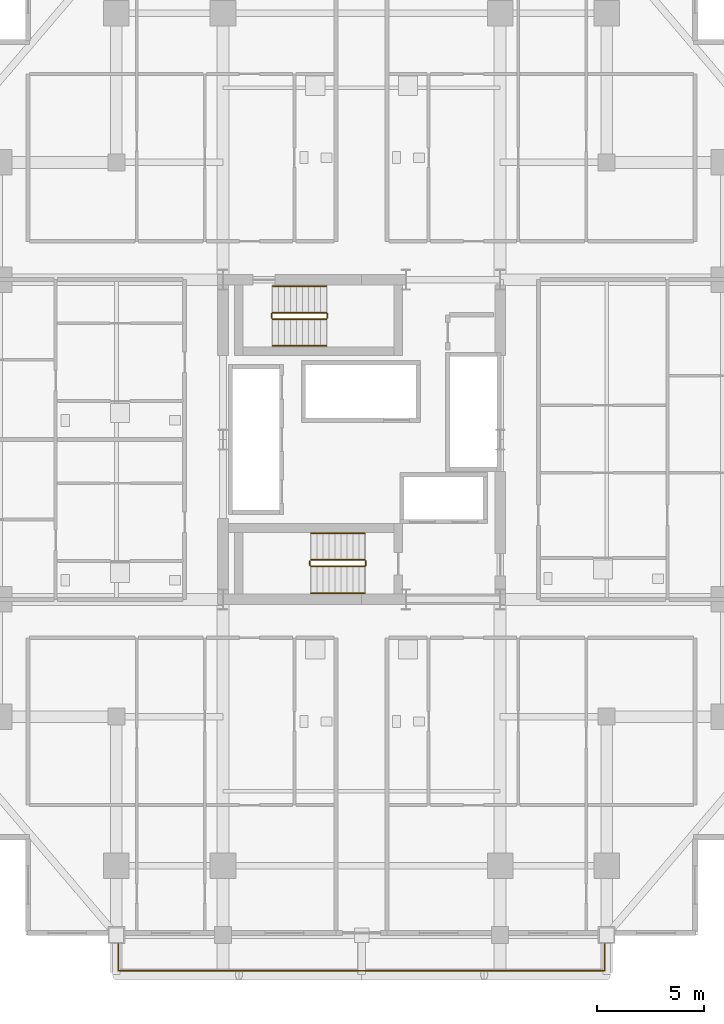
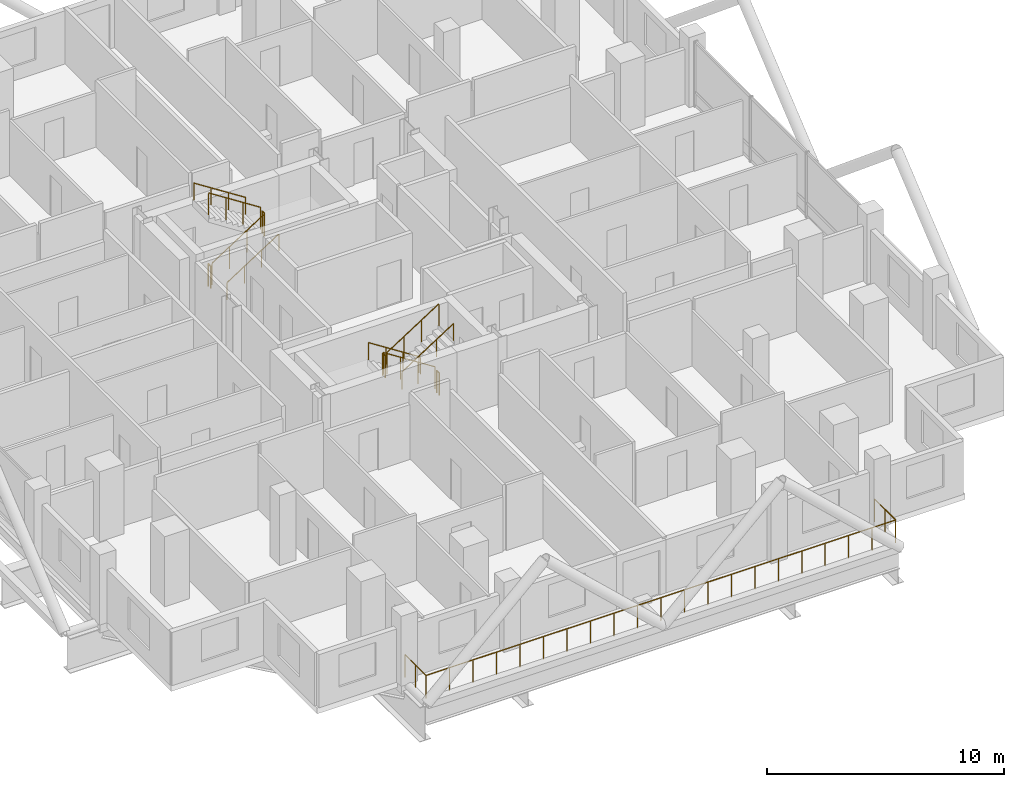
# One storey, part 19 of 21: 13 railings.
"""IFC4 building model written with IfcOpenShell, lengths in metres."""

from ifc_helpers import new_model, si_unit, direction, frame, origin, origin_2d, place, context, subcontext, project, spatial, circle, extrude, material, type_object, element, save


model = new_model("IFC4")

# Units and contexts
model_context = context("Model", 3, precision=1e-05, world=origin(), true_north=direction((0.0, 1.0)))
body_context = subcontext(model_context, "Body", "Model", "MODEL_VIEW")
ifc_project = project(units=[si_unit("LENGTHUNIT", "METRE"), si_unit("AREAUNIT", "SQUARE_METRE"), si_unit("VOLUMEUNIT", "CUBIC_METRE"), si_unit("PLANEANGLEUNIT", "RADIAN"), si_unit("MASSUNIT", "GRAM", prefix="KILO")], contexts=[model_context])

# Site, building, storey
site_placement = place(None, origin())
site = spatial("IfcSite", under=ifc_project, at=site_placement, CompositionType="ELEMENT")
building_placement = place(site_placement, origin())
building = spatial("IfcBuilding", under=site, at=building_placement, Name="Barlavira Tower and Art Museum", CompositionType="ELEMENT")
storey_placement = place(building_placement, frame((0.0, 0.0, 99.0)))
storey = spatial("IfcBuildingStorey", under=building, at=storey_placement, Name="L24", CompositionType="ELEMENT", Elevation=99.0)

# Railings
ifc_material_1 = material(Name="Brushed stainless steel", Category="steel")
railing_type_1 = type_object("IfcRailingType", Name="Interior Void and Landing Guard Railing 1150", PredefinedType="GUARDRAIL", material=ifc_material_1)
railing_1_placement = place(storey_placement, frame((0.14990234375, -5.64990234375, 0.179931640625)))
element("IfcRailing", 1, at=railing_1_placement, inside=storey, type_object=railing_type_1, Name="L24 ST-T1 stair guard 1", PredefinedType="GUARDRAIL", context=body_context, shape_type="SweptSolid", body=[
    extrude(circle(Radius=0.02392578125, at=origin_2d()), frame((0.0, 0.0, 1.1259765625), z_axis=(-0.841162588446, 0.0, 0.540782303519), x_axis=(0.0, -1.0, 0.0)), (0.0, 0.0, 1.0), 2.995849609375),
    extrude(circle(Radius=0.02099609375, at=origin_2d()), origin(), (0.0, 0.0, 1.0), 1.101806640625),
    extrude(circle(Radius=0.02099609375, at=origin_2d()), frame((-0.840087890625, 0.0, 0.5400390625)), (0.0, 0.0, 1.0), 1.101806640625),
    extrude(circle(Radius=0.02099609375, at=origin_2d()), frame((-1.679931640625, 0.0, 1.080078125)), (0.0, 0.0, 1.0), 1.101806640625),
    extrude(circle(Radius=0.02099609375, at=origin_2d()), frame((-2.52001953125, 0.0, 1.6201171875)), (0.0, 0.0, 1.0), 1.101806640625),
])
railing_2_placement = place(storey_placement, frame((-2.419921875, -5.699951171875, 1.800048828125)))
element("IfcRailing", 2, at=railing_2_placement, inside=storey, type_object=railing_type_1, Name="L24 ST-T1 stair guard 2", PredefinedType="GUARDRAIL", context=body_context, shape_type="SweptSolid", body=[
    extrude(circle(Radius=0.02392578125, at=origin_2d()), frame((0.0, 0.0, 1.1259765625), z_axis=(0.0, -1.0, 0.0), x_axis=(1.0, 0.0, 0.0)), (0.0, 0.0, 1.0), 0.199951171875),
    extrude(circle(Radius=0.02099609375, at=origin_2d()), origin(), (0.0, 0.0, 1.0), 1.101806640625),
    extrude(circle(Radius=0.02099609375, at=origin_2d()), frame((0.0, -0.199951171875, 0.0)), (0.0, 0.0, 1.0), 1.101806640625),
])
railing_3_placement = place(storey_placement, frame((-2.3701171875, -5.949951171875, 1.97998046875)))
element("IfcRailing", 3, at=railing_3_placement, inside=storey, type_object=railing_type_1, Name="L24 ST-T1 stair guard 3", PredefinedType="GUARDRAIL", context=body_context, shape_type="SweptSolid", body=[
    extrude(circle(Radius=0.02392578125, at=origin_2d()), frame((0.0, 0.0, 1.1259765625), z_axis=(0.841162588446, 0.0, 0.540782303519), x_axis=(0.0, 1.0, 0.0)), (0.0, 0.0, 1.0), 2.995849609375),
    extrude(circle(Radius=0.02099609375, at=origin_2d()), origin(), (0.0, 0.0, 1.0), 1.101806640625),
    extrude(circle(Radius=0.02099609375, at=origin_2d()), frame((0.840087890625, 0.0, 0.5400390625)), (0.0, 0.0, 1.0), 1.101806640625),
    extrude(circle(Radius=0.02099609375, at=origin_2d()), frame((1.679931640625, 0.0, 1.080078125)), (0.0, 0.0, 1.0), 1.101806640625),
    extrude(circle(Radius=0.02099609375, at=origin_2d()), frame((2.52001953125, 0.0, 1.6201171875)), (0.0, 0.0, 1.0), 1.101806640625),
])
railing_4_placement = place(storey_placement, frame((0.199951171875, -5.699951171875, 0.0)))
element("IfcRailing", 4, at=railing_4_placement, inside=storey, type_object=railing_type_1, Name="L24 ST-T1 stair guard 4", PredefinedType="GUARDRAIL", context=body_context, shape_type="SweptSolid", body=[
    extrude(circle(Radius=0.02392578125, at=origin_2d()), frame((0.0, 0.0, 1.1259765625), z_axis=(0.0, -1.0, 0.0), x_axis=(1.0, 0.0, 0.0)), (0.0, 0.0, 1.0), 0.199951171875),
    extrude(circle(Radius=0.02099609375, at=origin_2d()), origin(), (0.0, 0.0, 1.0), 1.101806640625),
    extrude(circle(Radius=0.02099609375, at=origin_2d()), frame((0.0, -0.199951171875, 0.0)), (0.0, 0.0, 1.0), 1.101806640625),
])
railing_5_placement = place(storey_placement, frame((-4.169921875, 5.64990234375, 0.179931640625)))
element("IfcRailing", 5, at=railing_5_placement, inside=storey, type_object=railing_type_1, Name="L24 ST-T2 stair guard 1", PredefinedType="GUARDRAIL", context=body_context, shape_type="SweptSolid", body=[
    extrude(circle(Radius=0.02392578125, at=origin_2d()), frame((0.0, 0.0, 1.1259765625), z_axis=(0.841162588446, 0.0, 0.540782303519), x_axis=(0.0, 1.0, 0.0)), (0.0, 0.0, 1.0), 2.995849609375),
    extrude(circle(Radius=0.02099609375, at=origin_2d()), origin(), (0.0, 0.0, 1.0), 1.101806640625),
    extrude(circle(Radius=0.02099609375, at=origin_2d()), frame((0.840087890625, 0.0, 0.5400390625)), (0.0, 0.0, 1.0), 1.101806640625),
    extrude(circle(Radius=0.02099609375, at=origin_2d()), frame((1.679931640625, 0.0, 1.080078125)), (0.0, 0.0, 1.0), 1.101806640625),
    extrude(circle(Radius=0.02099609375, at=origin_2d()), frame((2.52001953125, 0.0, 1.6201171875)), (0.0, 0.0, 1.0), 1.101806640625),
])
railing_6_placement = place(storey_placement, frame((-1.60009765625, 5.699951171875, 1.800048828125)))
element("IfcRailing", 6, at=railing_6_placement, inside=storey, type_object=railing_type_1, Name="L24 ST-T2 stair guard 2", PredefinedType="GUARDRAIL", context=body_context, shape_type="SweptSolid", body=[
    extrude(circle(Radius=0.02392578125, at=origin_2d()), frame((0.0, 0.0, 1.1259765625), z_axis=(0.0, 1.0, 0.0), x_axis=(-1.0, 0.0, 0.0)), (0.0, 0.0, 1.0), 0.199951171875),
    extrude(circle(Radius=0.02099609375, at=origin_2d()), origin(), (0.0, 0.0, 1.0), 1.101806640625),
    extrude(circle(Radius=0.02099609375, at=origin_2d()), frame((0.0, 0.199951171875, 0.0)), (0.0, 0.0, 1.0), 1.101806640625),
])
railing_7_placement = place(storey_placement, frame((-1.64990234375, 5.949951171875, 1.97998046875)))
element("IfcRailing", 7, at=railing_7_placement, inside=storey, type_object=railing_type_1, Name="L24 ST-T2 stair guard 3", PredefinedType="GUARDRAIL", context=body_context, shape_type="SweptSolid", body=[
    extrude(circle(Radius=0.02392578125, at=origin_2d()), frame((0.0, 0.0, 1.1259765625), z_axis=(-0.841162588446, 0.0, 0.540782303519), x_axis=(0.0, -1.0, 0.0)), (0.0, 0.0, 1.0), 2.995849609375),
    extrude(circle(Radius=0.02099609375, at=origin_2d()), origin(), (0.0, 0.0, 1.0), 1.101806640625),
    extrude(circle(Radius=0.02099609375, at=origin_2d()), frame((-0.840087890625, 0.0, 0.5400390625)), (0.0, 0.0, 1.0), 1.101806640625),
    extrude(circle(Radius=0.02099609375, at=origin_2d()), frame((-1.679931640625, 0.0, 1.080078125)), (0.0, 0.0, 1.0), 1.101806640625),
    extrude(circle(Radius=0.02099609375, at=origin_2d()), frame((-2.52001953125, 0.0, 1.6201171875)), (0.0, 0.0, 1.0), 1.101806640625),
])
railing_8_placement = place(storey_placement, frame((-4.219970703125, 5.699951171875, 0.0)))
element("IfcRailing", 8, at=railing_8_placement, inside=storey, type_object=railing_type_1, Name="L24 ST-T2 stair guard 4", PredefinedType="GUARDRAIL", context=body_context, shape_type="SweptSolid", body=[
    extrude(circle(Radius=0.02392578125, at=origin_2d()), frame((0.0, 0.0, 1.1259765625), z_axis=(0.0, 1.0, 0.0), x_axis=(-1.0, 0.0, 0.0)), (0.0, 0.0, 1.0), 0.199951171875),
    extrude(circle(Radius=0.02099609375, at=origin_2d()), origin(), (0.0, 0.0, 1.0), 1.101806640625),
    extrude(circle(Radius=0.02099609375, at=origin_2d()), frame((0.0, 0.199951171875, 0.0)), (0.0, 0.0, 1.0), 1.101806640625),
])
railing_type_2 = type_object("IfcRailingType", Name="Stair Pitch Tubular Steel Handrail 920", PredefinedType="HANDRAIL", material=ifc_material_1)
railing_9_placement = place(storey_placement, frame((0.14990234375, -4.39990234375, 0.179931640625)))
element("IfcRailing", 9, at=railing_9_placement, inside=storey, type_object=railing_type_2, Name="L24 ST-T1 stair handrail 1", PredefinedType="HANDRAIL", context=body_context, shape_type="SweptSolid", body=[
    extrude(circle(Radius=0.02392578125, at=origin_2d()), frame((0.0, 0.0, 0.8759765625), z_axis=(-0.841162588446, 0.0, 0.540782303519), x_axis=(0.0, -1.0, 0.0)), (0.0, 0.0, 1.0), 2.995849609375),
    extrude(circle(Radius=0.02099609375, at=origin_2d()), origin(), (0.0, 0.0, 1.0), 0.851806640625),
    extrude(circle(Radius=0.02099609375, at=origin_2d()), frame((-0.840087890625, 0.0, 0.5400390625)), (0.0, 0.0, 1.0), 0.851806640625),
    extrude(circle(Radius=0.02099609375, at=origin_2d()), frame((-1.679931640625, 0.0, 1.080078125)), (0.0, 0.0, 1.0), 0.851806640625),
    extrude(circle(Radius=0.02099609375, at=origin_2d()), frame((-2.52001953125, 0.0, 1.6201171875)), (0.0, 0.0, 1.0), 0.851806640625),
])
for number, where, name in (
    (10, (-2.3701171875, -7.199951171875, 1.97998046875), "L24 ST-T1 stair handrail 2"),
    (11, (-4.169921875, 4.39990234375, 0.179931640625), "L24 ST-T2 stair handrail 1"),
):
    element("IfcRailing", number, at=place(storey_placement, frame(where)), inside=storey, type_object=railing_type_2, Name=name, PredefinedType="HANDRAIL", context=body_context, shape_type="SweptSolid", body=[
        extrude(circle(Radius=0.02392578125, at=origin_2d()), frame((0.0, 0.0, 0.8759765625), z_axis=(0.841162588446, 0.0, 0.540782303519), x_axis=(0.0, 1.0, 0.0)), (0.0, 0.0, 1.0), 2.995849609375),
        extrude(circle(Radius=0.02099609375, at=origin_2d()), origin(), (0.0, 0.0, 1.0), 0.851806640625),
        extrude(circle(Radius=0.02099609375, at=origin_2d()), frame((0.840087890625, 0.0, 0.5400390625)), (0.0, 0.0, 1.0), 0.851806640625),
        extrude(circle(Radius=0.02099609375, at=origin_2d()), frame((1.679931640625, 0.0, 1.080078125)), (0.0, 0.0, 1.0), 0.851806640625),
        extrude(circle(Radius=0.02099609375, at=origin_2d()), frame((2.52001953125, 0.0, 1.6201171875)), (0.0, 0.0, 1.0), 0.851806640625),
    ])
railing_10_placement = place(storey_placement, frame((-1.64990234375, 7.199951171875, 1.97998046875)))
element("IfcRailing", 12, at=railing_10_placement, inside=storey, type_object=railing_type_2, Name="L24 ST-T2 stair handrail 2", PredefinedType="HANDRAIL", context=body_context, shape_type="SweptSolid", body=[
    extrude(circle(Radius=0.02392578125, at=origin_2d()), frame((0.0, 0.0, 0.8759765625), z_axis=(-0.841162588446, 0.0, 0.540782303519), x_axis=(0.0, -1.0, 0.0)), (0.0, 0.0, 1.0), 2.995849609375),
    extrude(circle(Radius=0.02099609375, at=origin_2d()), origin(), (0.0, 0.0, 1.0), 0.851806640625),
    extrude(circle(Radius=0.02099609375, at=origin_2d()), frame((-0.840087890625, 0.0, 0.5400390625)), (0.0, 0.0, 1.0), 0.851806640625),
    extrude(circle(Radius=0.02099609375, at=origin_2d()), frame((-1.679931640625, 0.0, 1.080078125)), (0.0, 0.0, 1.0), 0.851806640625),
    extrude(circle(Radius=0.02099609375, at=origin_2d()), frame((-2.52001953125, 0.0, 1.6201171875)), (0.0, 0.0, 1.0), 0.851806640625),
])
ifc_material_2 = material(Name="Laminated safety glass and stainless steel", Category="steel")
railing_type_3 = type_object("IfcRailingType", Name="Terrace and Wind-Floor Laminated Glass Balustrade 1200", PredefinedType="BALUSTRADE", material=ifc_material_2)
railing_11_placement = place(storey_placement, frame((-11.419921875, -23.14990234375, 0.0)))
element("IfcRailing", 13, at=railing_11_placement, inside=storey, type_object=railing_type_3, Name="L24 S Setback Terrace Balustrade", PredefinedType="BALUSTRADE", context=body_context, shape_type="SweptSolid", body=[
    extrude(circle(Radius=0.02392578125, at=origin_2d()), frame((0.0, 0.0, 1.17578125), z_axis=(0.0, -1.0, 0.0), x_axis=(1.0, 0.0, 0.0)), (0.0, 0.0, 1.0), 1.77001953125),
    extrude(circle(Radius=0.02392578125, at=origin_2d()), frame((0.0, -1.77001953125, 1.17578125), z_axis=(1.0, 0.0, 0.0), x_axis=(0.0, 1.0, 0.0)), (0.0, 0.0, 1.0), 22.83984375),
    extrude(circle(Radius=0.02392578125, at=origin_2d()), frame((22.83984375, -1.77001953125, 1.17578125), z_axis=(0.0, 1.0, 0.0), x_axis=(-1.0, 0.0, 0.0)), (0.0, 0.0, 1.0), 1.77001953125),
    extrude(circle(Radius=0.02099609375, at=origin_2d()), origin(), (0.0, 0.0, 1.0), 1.15185546875),
    extrude(circle(Radius=0.02099609375, at=origin_2d()), frame((0.0, -0.885009765625, 0.0)), (0.0, 0.0, 1.0), 1.15185546875),
    extrude(circle(Radius=0.02099609375, at=origin_2d()), frame((0.0, -1.77001953125, 0.0)), (0.0, 0.0, 1.0), 1.15185546875),
    extrude(circle(Radius=0.02099609375, at=origin_2d()), frame((1.14208984375, -1.77001953125, 0.0)), (0.0, 0.0, 1.0), 1.15185546875),
    extrude(circle(Radius=0.02099609375, at=origin_2d()), frame((2.283935546875, -1.77001953125, 0.0)), (0.0, 0.0, 1.0), 1.15185546875),
    extrude(circle(Radius=0.02099609375, at=origin_2d()), frame((3.426025390625, -1.77001953125, 0.0)), (0.0, 0.0, 1.0), 1.15185546875),
    extrude(circle(Radius=0.02099609375, at=origin_2d()), frame((4.56787109375, -1.77001953125, 0.0)), (0.0, 0.0, 1.0), 1.15185546875),
    extrude(circle(Radius=0.02099609375, at=origin_2d()), frame((5.7099609375, -1.77001953125, 0.0)), (0.0, 0.0, 1.0), 1.15185546875),
    extrude(circle(Radius=0.02099609375, at=origin_2d()), frame((6.85205078125, -1.77001953125, 0.0)), (0.0, 0.0, 1.0), 1.15185546875),
    extrude(circle(Radius=0.02099609375, at=origin_2d()), frame((7.993896484375, -1.77001953125, 0.0)), (0.0, 0.0, 1.0), 1.15185546875),
    extrude(circle(Radius=0.02099609375, at=origin_2d()), frame((9.135986328125, -1.77001953125, 0.0)), (0.0, 0.0, 1.0), 1.15185546875),
    extrude(circle(Radius=0.02099609375, at=origin_2d()), frame((10.27783203125, -1.77001953125, 0.0)), (0.0, 0.0, 1.0), 1.15185546875),
    extrude(circle(Radius=0.02099609375, at=origin_2d()), frame((11.419921875, -1.77001953125, 0.0)), (0.0, 0.0, 1.0), 1.15185546875),
    extrude(circle(Radius=0.02099609375, at=origin_2d()), frame((12.56201171875, -1.77001953125, 0.0)), (0.0, 0.0, 1.0), 1.15185546875),
    extrude(circle(Radius=0.02099609375, at=origin_2d()), frame((13.703857421875, -1.77001953125, 0.0)), (0.0, 0.0, 1.0), 1.15185546875),
    extrude(circle(Radius=0.02099609375, at=origin_2d()), frame((14.845947265625, -1.77001953125, 0.0)), (0.0, 0.0, 1.0), 1.15185546875),
    extrude(circle(Radius=0.02099609375, at=origin_2d()), frame((15.98779296875, -1.77001953125, 0.0)), (0.0, 0.0, 1.0), 1.15185546875),
    extrude(circle(Radius=0.02099609375, at=origin_2d()), frame((17.1298828125, -1.77001953125, 0.0)), (0.0, 0.0, 1.0), 1.15185546875),
    extrude(circle(Radius=0.02099609375, at=origin_2d()), frame((18.27197265625, -1.77001953125, 0.0)), (0.0, 0.0, 1.0), 1.15185546875),
    extrude(circle(Radius=0.02099609375, at=origin_2d()), frame((19.413818359375, -1.77001953125, 0.0)), (0.0, 0.0, 1.0), 1.15185546875),
    extrude(circle(Radius=0.02099609375, at=origin_2d()), frame((20.555908203125, -1.77001953125, 0.0)), (0.0, 0.0, 1.0), 1.15185546875),
    extrude(circle(Radius=0.02099609375, at=origin_2d()), frame((21.69775390625, -1.77001953125, 0.0)), (0.0, 0.0, 1.0), 1.15185546875),
    extrude(circle(Radius=0.02099609375, at=origin_2d()), frame((22.83984375, -1.77001953125, 0.0)), (0.0, 0.0, 1.0), 1.15185546875),
    extrude(circle(Radius=0.02099609375, at=origin_2d()), frame((22.83984375, -0.885009765625, 0.0)), (0.0, 0.0, 1.0), 1.15185546875),
    extrude(circle(Radius=0.02099609375, at=origin_2d()), frame((22.83984375, 0.0, 0.0)), (0.0, 0.0, 1.0), 1.15185546875),
])

save(model, "model.ifc")
